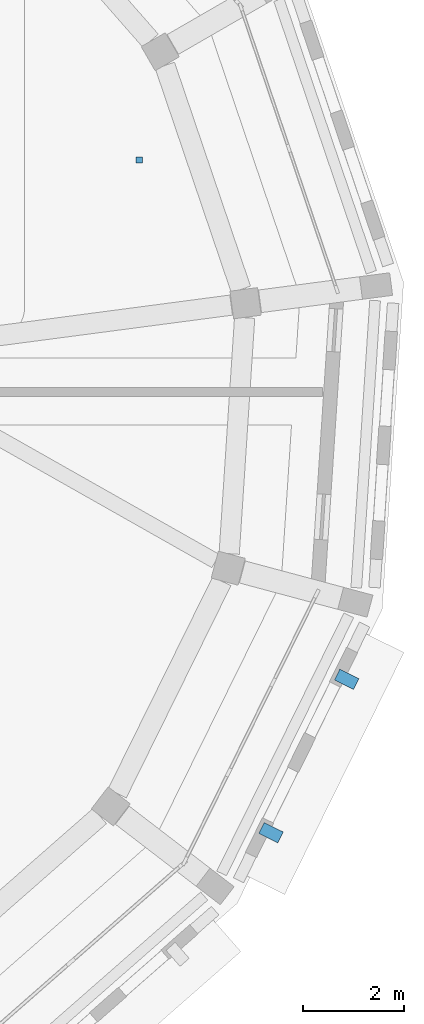
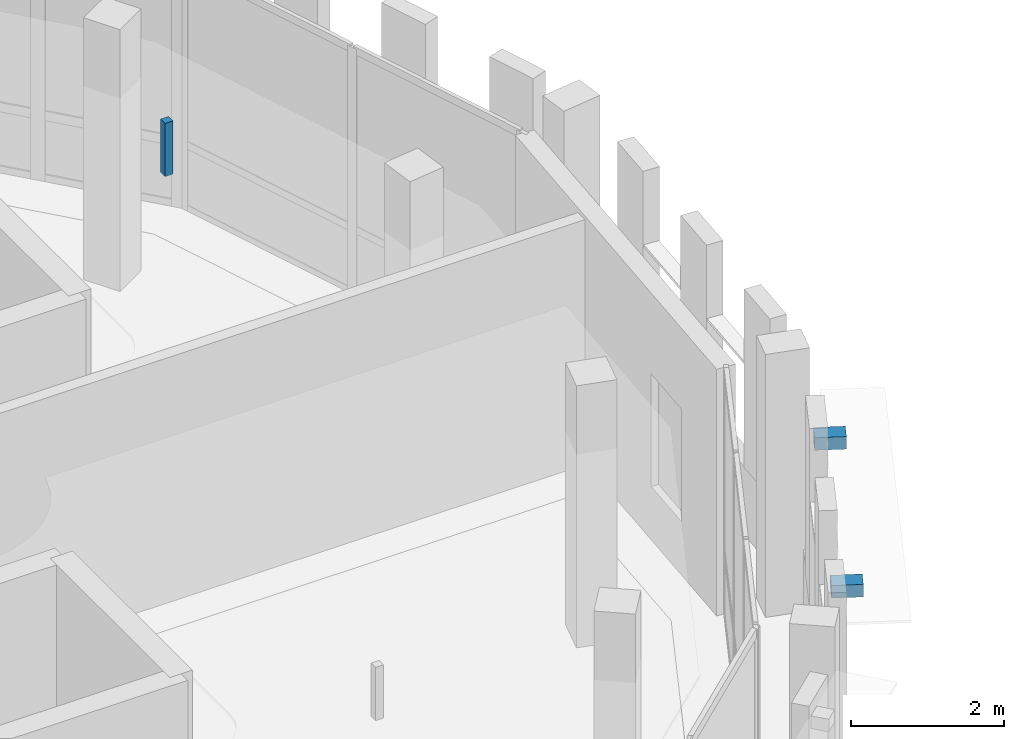
# One storey, part 116 of 125: 3 discrete accessories.
"""IFC4 building model written with IfcOpenShell, lengths in metres."""

from ifc_helpers import new_model, si_unit, direction, frame, origin, origin_2d, place, context, subcontext, project, spatial, rectangle, extrude, material, type_object, element, save


model = new_model("IFC4")

# Units and contexts
model_context = context("Model", 3, precision=1e-05, world=origin(), true_north=direction((0.0, 1.0)))
body_context = subcontext(model_context, "Body", "Model", "MODEL_VIEW")
ifc_project = project(units=[si_unit("LENGTHUNIT", "METRE"), si_unit("AREAUNIT", "SQUARE_METRE"), si_unit("VOLUMEUNIT", "CUBIC_METRE"), si_unit("PLANEANGLEUNIT", "RADIAN"), si_unit("MASSUNIT", "GRAM", prefix="KILO")], contexts=[model_context])

# Site, building, storey
site_placement = place(None, origin())
site = spatial("IfcSite", under=ifc_project, at=site_placement, CompositionType="ELEMENT")
building_placement = place(site_placement, origin())
building = spatial("IfcBuilding", under=site, at=building_placement, Name="Wrenclough Park School", CompositionType="ELEMENT")
storey_placement = place(building_placement, frame((0.0, 0.0, 4.199951171875)))
storey = spatial("IfcBuildingStorey", under=building, at=storey_placement, Name="L01", CompositionType="ELEMENT", Elevation=4.199951171875)

# Discrete accessories
ifc_material_1 = material(Name="Austenitic stainless steel Grade 1.4401", Category="steel")
discrete_accessory_type_1 = type_object("IfcDiscreteAccessoryType", Name="ENV-BRK-01", PredefinedType="BRACKET", material=ifc_material_1)
for number, where, z_axis, x_axis, name in (
    (1, (188.336669921875, 84.7919921875, 3.5400390625), (0.0, 0.0, 1.0), (0.44229991762, 0.896867204704, 0.0), "Brise-soleil stainless outrigger bracket 0077"),
    (2, (189.831298828125, 87.8232421875, 3.5400390625), (0.0, 0.0, 1.0), (0.44229991762, 0.896867204704, 0.0), "Brise-soleil stainless outrigger bracket 0078"),
):
    element("IfcDiscreteAccessory", number, at=place(storey_placement, frame(where, z_axis=z_axis, x_axis=x_axis)), inside=storey, type_object=discrete_accessory_type_1, Name=name, PredefinedType="BRACKET", context=body_context, shape_type="SweptSolid", body=[
        extrude(rectangle(XDim=0.239990234375, YDim=0.419921875, at=origin_2d()), origin(), (0.0, 0.0, 1.0), 0.199951171875),
    ])
ifc_material_2 = material(Name="Galvanised steel acoustic ceiling suspension hanger", Category="steel")
discrete_accessory_type_2 = type_object("IfcDiscreteAccessoryType", Name="INT-BRK-HGR", PredefinedType="BRACKET", material=ifc_material_2)
discrete_accessory_placement = place(storey_placement, frame((185.73291015625, 98.081787109375, 3.090087890625), z_axis=(0.0, 0.0, 1.0), x_axis=(1.0, 0.0, 0.0)))
element("IfcDiscreteAccessory", 3, at=discrete_accessory_placement, inside=storey, type_object=discrete_accessory_type_2, Name="Acoustic ceiling hanger bracket 0036", PredefinedType="BRACKET", context=body_context, shape_type="SweptSolid", body=[
    extrude(rectangle(XDim=0.1201171875, YDim=0.1201171875, at=origin_2d()), origin(), (0.0, 0.0, 1.0), 0.85009765625),
])

save(model, "model.ifc")
